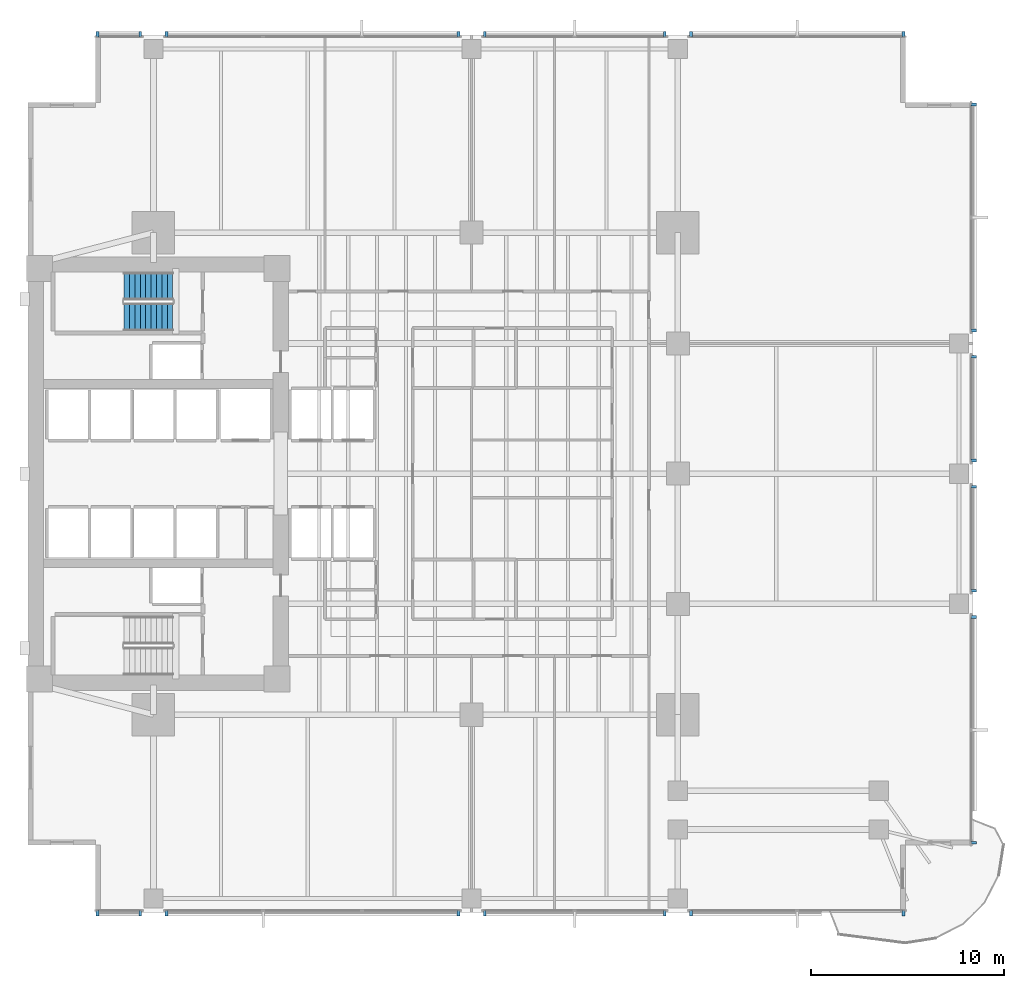
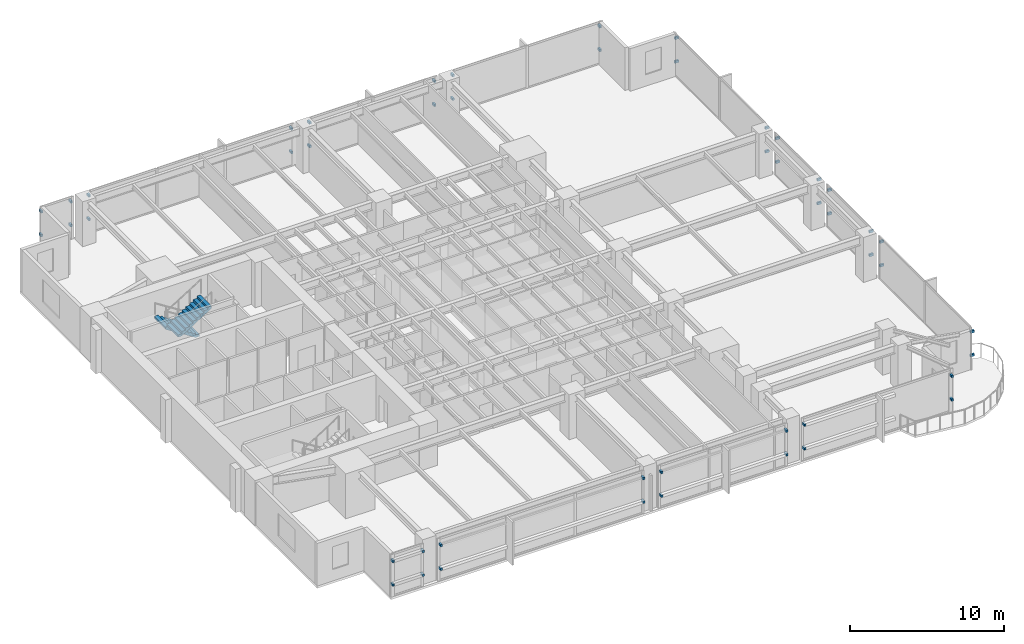
# One storey, part 11 of 15: 48 discrete accessories, 2 stair flights, 1 element without a shape of its own.
"""IFC4 building model written with IfcOpenShell, lengths in metres."""

from ifc_helpers import new_model, si_unit, direction, frame, origin, origin_2d, place, context, subcontext, project, spatial, polyline, rectangle, outline, extrude, material, type_object, element, aggregate, save


model = new_model("IFC4")

# Units and contexts
model_context = context("Model", 3, precision=1e-05, world=origin(), true_north=direction((0.0, 1.0)))
body_context = subcontext(model_context, "Body", "Model", "MODEL_VIEW")
ifc_project = project(units=[si_unit("LENGTHUNIT", "METRE"), si_unit("AREAUNIT", "SQUARE_METRE"), si_unit("VOLUMEUNIT", "CUBIC_METRE"), si_unit("PLANEANGLEUNIT", "RADIAN"), si_unit("MASSUNIT", "GRAM", prefix="KILO")], contexts=[model_context])

# Site, building, storey
site_placement = place(None, origin())
site = spatial("IfcSite", under=ifc_project, at=site_placement, CompositionType="ELEMENT")
building_placement = place(site_placement, origin())
building = spatial("IfcBuilding", under=site, at=building_placement, Name="Kinhvarn Gate Tower", CompositionType="ELEMENT")
storey_placement = place(building_placement, frame((0.0, 0.0, 71.75)))
storey = spatial("IfcBuildingStorey", under=building, at=storey_placement, Name="L18", CompositionType="ELEMENT", Elevation=71.75)

# Stair, stair flights
ifc_material_1 = material(Name="Concrete C40/50", Category="concrete")
stair_type = type_object("IfcStairType", Name="STR-DLG-177", PredefinedType="HALF_TURN_STAIR", material=ifc_material_1)
stair_placement = place(storey_placement, origin())
stair = element("IfcStair", 1, at=stair_placement, inside=storey, type_object=stair_type, Name="L18 Core Smokeproof Exit Stair ST2", PredefinedType="HALF_TURN_STAIR")
stair_flight_type = type_object("IfcStairFlightType", Name="STF-DLG-177", PredefinedType="STRAIGHT", material=ifc_material_1)
stair_flight_1_placement = place(storey_placement, frame((12.0, 34.97509765625, 0.0), z_axis=(0.0, 0.0, 1.0), x_axis=(-1.0, 0.0, 0.0)))
stair_flight_1 = element("IfcStairFlight", 2, at=stair_flight_1_placement, type_object=stair_flight_type, Name="ST2 flight 1", NumberOfRisers=10, NumberOfTreads=9, PredefinedType="STRAIGHT", RiserHeight=0.1775, TreadLength=0.28, context=body_context, shape_type="SweptSolid", body=[
    extrude(outline(polyline([(0.0, 0.0), (0.0, 0.177490234375), (0.280029296875, 0.177490234375), (0.280029296875, 0.35498046875), (0.56005859375, 0.35498046875), (0.56005859375, 0.532470703125), (0.840087890625, 0.532470703125), (0.840087890625, 0.7099609375), (1.1201171875, 0.7099609375), (1.1201171875, 0.887451171875), (1.39990234375, 0.887451171875), (1.39990234375, 1.06494140625), (1.679931640625, 1.06494140625), (1.679931640625, 1.242431640625), (1.9599609375, 1.242431640625), (1.9599609375, 1.419921875), (2.239990234375, 1.419921875), (2.239990234375, 1.597412109375), (2.52001953125, 1.597412109375), (2.52001953125, 1.77490234375), (2.52001953125, 1.419921875), (0.280029296875, 0.0), (0.0, 0.0)])), frame((0.0, 0.72509765625, 0.0), z_axis=(0.0, -1.0, 0.0), x_axis=(1.0, 0.0, 0.0)), (0.0, 0.0, 1.0), 1.449951171875),
])
stair_flight_2_placement = place(storey_placement, frame((9.47998046875, 33.375, 1.77490234375), z_axis=(0.0, 0.0, 1.0), x_axis=(1.0, 0.0, 0.0)))
stair_flight_2 = element("IfcStairFlight", 3, at=stair_flight_2_placement, type_object=stair_flight_type, Name="ST2 flight 2", NumberOfRisers=10, NumberOfTreads=9, PredefinedType="STRAIGHT", RiserHeight=0.1775, TreadLength=0.28, context=body_context, shape_type="SweptSolid", body=[
    extrude(outline(polyline([(0.0, 0.0), (0.0, 0.177490234375), (0.280029296875, 0.177490234375), (0.280029296875, 0.35498046875), (0.56005859375, 0.35498046875), (0.56005859375, 0.532470703125), (0.840087890625, 0.532470703125), (0.840087890625, 0.7099609375), (1.1201171875, 0.7099609375), (1.1201171875, 0.887451171875), (1.39990234375, 0.887451171875), (1.39990234375, 1.06494140625), (1.679931640625, 1.06494140625), (1.679931640625, 1.242431640625), (1.9599609375, 1.242431640625), (1.9599609375, 1.419921875), (2.239990234375, 1.419921875), (2.239990234375, 1.597412109375), (2.52001953125, 1.597412109375), (2.52001953125, 1.77490234375), (2.52001953125, 1.419921875), (0.280029296875, 0.0), (0.0, 0.0)])), frame((0.0, 0.72509765625, 0.0), z_axis=(0.0, -1.0, 0.0), x_axis=(1.0, 0.0, 0.0)), (0.0, 0.0, 1.0), 1.449951171875),
])
aggregate(stair, [stair_flight_1, stair_flight_2])

# Discrete accessories
ifc_material_2 = material(Name="Anodised aluminium AW-6063", Category="aluminium")
discrete_accessory_type = type_object("IfcDiscreteAccessoryType", Name="ACC-BRK-01", PredefinedType="BRACKET", material=ifc_material_2)
for number, where, z_axis, x_axis, name in (
    (4, (8.10009765625, 2.4599609375, 0.9599609375), (0.0, 0.0, 1.0), (1.0, 0.0, 0.0), "Baguette Support Bracket BK-01 (L18)"),
    (5, (8.10009765625, 2.4599609375, 2.830078125), (0.0, 0.0, 1.0), (1.0, 0.0, 0.0), "Baguette Support Bracket BK-01 (L18)"),
    (6, (10.320068359375, 2.4599609375, 0.9599609375), (0.0, 0.0, 1.0), (1.0, 0.0, 0.0), "Baguette Support Bracket BK-01 (L18)"),
    (7, (10.320068359375, 2.4599609375, 2.830078125), (0.0, 0.0, 1.0), (1.0, 0.0, 0.0), "Baguette Support Bracket BK-01 (L18)"),
    (8, (11.679931640625, 2.4599609375, 0.9599609375), (0.0, 0.0, 1.0), (1.0, 0.0, 0.0), "Baguette Support Bracket BK-01 (L18)"),
    (9, (11.679931640625, 2.4599609375, 2.830078125), (0.0, 0.0, 1.0), (1.0, 0.0, 0.0), "Baguette Support Bracket BK-01 (L18)"),
    (10, (26.820068359375, 2.4599609375, 0.9599609375), (0.0, 0.0, 1.0), (1.0, 0.0, 0.0), "Baguette Support Bracket BK-01 (L18)"),
    (11, (26.820068359375, 2.4599609375, 2.830078125), (0.0, 0.0, 1.0), (1.0, 0.0, 0.0), "Baguette Support Bracket BK-01 (L18)"),
    (12, (28.179931640625, 2.4599609375, 0.9599609375), (0.0, 0.0, 1.0), (1.0, 0.0, 0.0), "Baguette Support Bracket BK-01 (L18)"),
    (13, (28.179931640625, 2.4599609375, 2.830078125), (0.0, 0.0, 1.0), (1.0, 0.0, 0.0), "Baguette Support Bracket BK-01 (L18)"),
    (14, (37.52001953125, 2.4599609375, 0.9599609375), (0.0, 0.0, 1.0), (1.0, 0.0, 0.0), "Baguette Support Bracket BK-01 (L18)"),
    (15, (37.52001953125, 2.4599609375, 2.830078125), (0.0, 0.0, 1.0), (1.0, 0.0, 0.0), "Baguette Support Bracket BK-01 (L18)"),
    (16, (38.8798828125, 2.4599609375, 0.9599609375), (0.0, 0.0, 1.0), (1.0, 0.0, 0.0), "Baguette Support Bracket BK-01 (L18)"),
    (17, (38.8798828125, 2.4599609375, 2.830078125), (0.0, 0.0, 1.0), (1.0, 0.0, 0.0), "Baguette Support Bracket BK-01 (L18)"),
    (18, (49.89990234375, 2.4599609375, 0.9599609375), (0.0, 0.0, 1.0), (1.0, 0.0, 0.0), "Baguette Support Bracket BK-01 (L18)"),
    (19, (49.89990234375, 2.4599609375, 2.830078125), (0.0, 0.0, 1.0), (1.0, 0.0, 0.0), "Baguette Support Bracket BK-01 (L18)"),
    (20, (49.89990234375, 48.0400390625, 0.9599609375), (0.0, 0.0, 1.0), (-1.0, 0.0, 0.0), "Baguette Support Bracket BK-01 (L18)"),
    (21, (49.89990234375, 48.0400390625, 2.830078125), (0.0, 0.0, 1.0), (-1.0, 0.0, 0.0), "Baguette Support Bracket BK-01 (L18)"),
    (22, (38.8798828125, 48.0400390625, 0.9599609375), (0.0, 0.0, 1.0), (-1.0, 0.0, 0.0), "Baguette Support Bracket BK-01 (L18)"),
    (23, (38.8798828125, 48.0400390625, 2.830078125), (0.0, 0.0, 1.0), (-1.0, 0.0, 0.0), "Baguette Support Bracket BK-01 (L18)"),
    (24, (37.52001953125, 48.0400390625, 0.9599609375), (0.0, 0.0, 1.0), (-1.0, 0.0, 0.0), "Baguette Support Bracket BK-01 (L18)"),
    (25, (37.52001953125, 48.0400390625, 2.830078125), (0.0, 0.0, 1.0), (-1.0, 0.0, 0.0), "Baguette Support Bracket BK-01 (L18)"),
    (26, (28.179931640625, 48.0400390625, 0.9599609375), (0.0, 0.0, 1.0), (-1.0, 0.0, 0.0), "Baguette Support Bracket BK-01 (L18)"),
    (27, (28.179931640625, 48.0400390625, 2.830078125), (0.0, 0.0, 1.0), (-1.0, 0.0, 0.0), "Baguette Support Bracket BK-01 (L18)"),
    (28, (26.820068359375, 48.0400390625, 0.9599609375), (0.0, 0.0, 1.0), (-1.0, 0.0, 0.0), "Baguette Support Bracket BK-01 (L18)"),
    (29, (26.820068359375, 48.0400390625, 2.830078125), (0.0, 0.0, 1.0), (-1.0, 0.0, 0.0), "Baguette Support Bracket BK-01 (L18)"),
    (30, (11.679931640625, 48.0400390625, 0.9599609375), (0.0, 0.0, 1.0), (-1.0, 0.0, 0.0), "Baguette Support Bracket BK-01 (L18)"),
    (31, (11.679931640625, 48.0400390625, 2.830078125), (0.0, 0.0, 1.0), (-1.0, 0.0, 0.0), "Baguette Support Bracket BK-01 (L18)"),
    (32, (10.320068359375, 48.0400390625, 0.9599609375), (0.0, 0.0, 1.0), (-1.0, 0.0, 0.0), "Baguette Support Bracket BK-01 (L18)"),
    (33, (10.320068359375, 48.0400390625, 2.830078125), (0.0, 0.0, 1.0), (-1.0, 0.0, 0.0), "Baguette Support Bracket BK-01 (L18)"),
    (34, (8.10009765625, 48.0400390625, 0.9599609375), (0.0, 0.0, 1.0), (-1.0, 0.0, 0.0), "Baguette Support Bracket BK-01 (L18)"),
    (35, (8.10009765625, 48.0400390625, 2.830078125), (0.0, 0.0, 1.0), (-1.0, 0.0, 0.0), "Baguette Support Bracket BK-01 (L18)"),
    (36, (53.5400390625, 6.10009765625, 0.9599609375), (0.0, 0.0, 1.0), (0.0, 1.0, 0.0), "Baguette Support Bracket BK-01 (L18)"),
    (37, (53.5400390625, 6.10009765625, 2.830078125), (0.0, 0.0, 1.0), (0.0, 1.0, 0.0), "Baguette Support Bracket BK-01 (L18)"),
    (38, (53.5400390625, 17.820068359375, 0.9599609375), (0.0, 0.0, 1.0), (0.0, 1.0, 0.0), "Baguette Support Bracket BK-01 (L18)"),
    (39, (53.5400390625, 17.820068359375, 2.830078125), (0.0, 0.0, 1.0), (0.0, 1.0, 0.0), "Baguette Support Bracket BK-01 (L18)"),
    (40, (53.5400390625, 19.179931640625, 0.9599609375), (0.0, 0.0, 1.0), (0.0, 1.0, 0.0), "Baguette Support Bracket BK-01 (L18)"),
    (41, (53.5400390625, 19.179931640625, 2.830078125), (0.0, 0.0, 1.0), (0.0, 1.0, 0.0), "Baguette Support Bracket BK-01 (L18)"),
    (42, (53.5400390625, 24.570068359375, 0.9599609375), (0.0, 0.0, 1.0), (0.0, 1.0, 0.0), "Baguette Support Bracket BK-01 (L18)"),
    (43, (53.5400390625, 24.570068359375, 2.830078125), (0.0, 0.0, 1.0), (0.0, 1.0, 0.0), "Baguette Support Bracket BK-01 (L18)"),
    (44, (53.5400390625, 25.929931640625, 0.9599609375), (0.0, 0.0, 1.0), (0.0, 1.0, 0.0), "Baguette Support Bracket BK-01 (L18)"),
    (45, (53.5400390625, 25.929931640625, 2.830078125), (0.0, 0.0, 1.0), (0.0, 1.0, 0.0), "Baguette Support Bracket BK-01 (L18)"),
    (46, (53.5400390625, 31.320068359375, 0.9599609375), (0.0, 0.0, 1.0), (0.0, 1.0, 0.0), "Baguette Support Bracket BK-01 (L18)"),
    (47, (53.5400390625, 31.320068359375, 2.830078125), (0.0, 0.0, 1.0), (0.0, 1.0, 0.0), "Baguette Support Bracket BK-01 (L18)"),
    (48, (53.5400390625, 32.679931640625, 0.9599609375), (0.0, 0.0, 1.0), (0.0, 1.0, 0.0), "Baguette Support Bracket BK-01 (L18)"),
    (49, (53.5400390625, 32.679931640625, 2.830078125), (0.0, 0.0, 1.0), (0.0, 1.0, 0.0), "Baguette Support Bracket BK-01 (L18)"),
    (50, (53.5400390625, 44.39990234375, 0.9599609375), (0.0, 0.0, 1.0), (0.0, 1.0, 0.0), "Baguette Support Bracket BK-01 (L18)"),
    (51, (53.5400390625, 44.39990234375, 2.830078125), (0.0, 0.0, 1.0), (0.0, 1.0, 0.0), "Baguette Support Bracket BK-01 (L18)"),
):
    element("IfcDiscreteAccessory", number, at=place(storey_placement, frame(where, z_axis=z_axis, x_axis=x_axis)), inside=storey, type_object=discrete_accessory_type, Name=name, PredefinedType="BRACKET", context=body_context, shape_type="SweptSolid", body=[
        extrude(rectangle(XDim=0.139892578125, YDim=0.280029296875, at=origin_2d()), origin(), (0.0, 0.0, 1.0), 0.179931640625),
    ])

save(model, "model.ifc")
